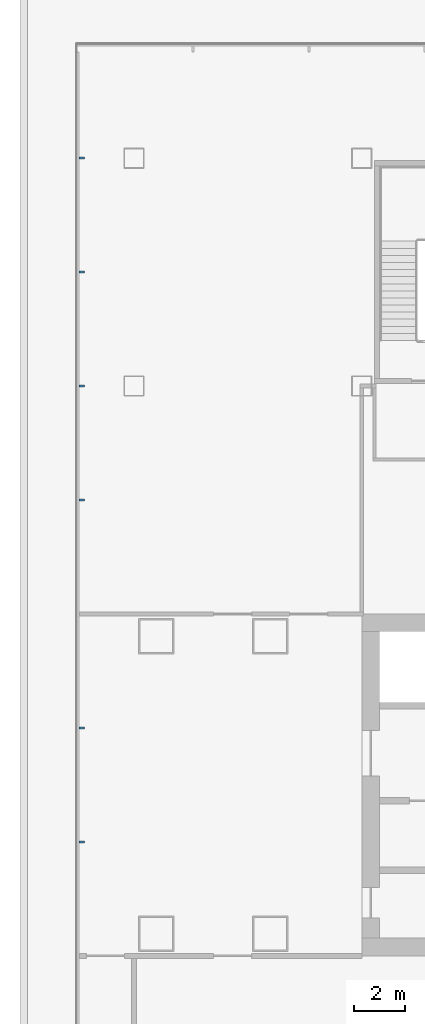
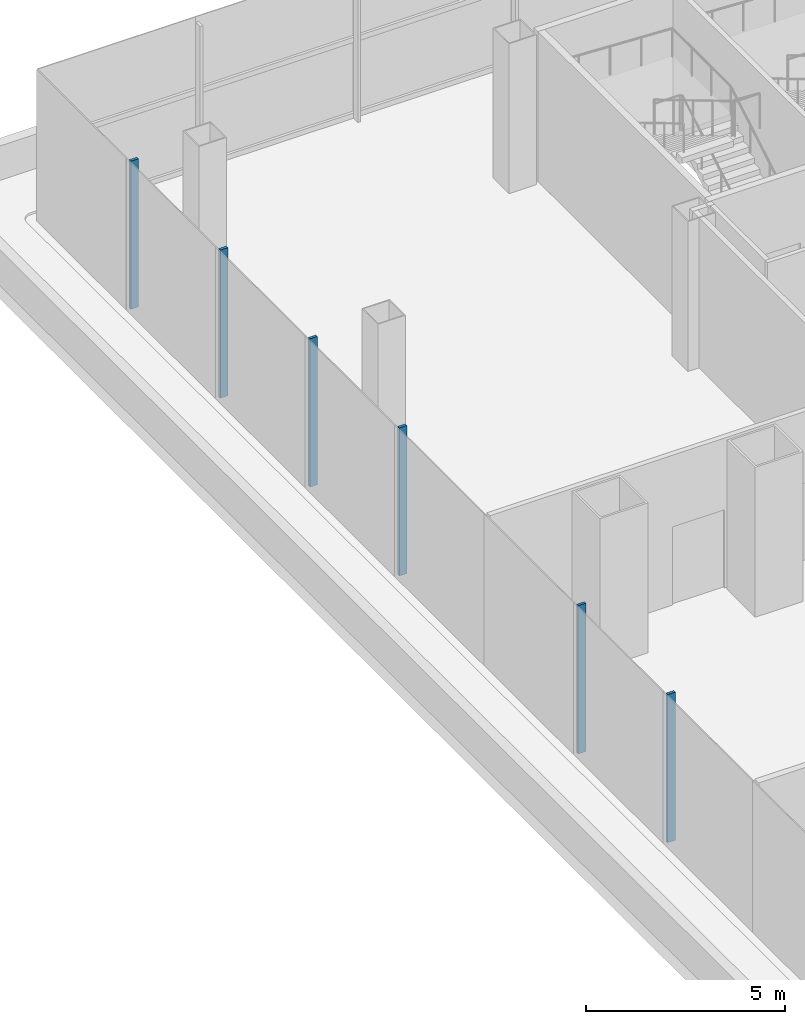
# One storey, part 6 of 33: 6 members, 1 element without a shape of its own.
"""IFC4 building model written with IfcOpenShell, lengths in metres."""

from ifc_helpers import new_model, si_unit, direction, frame, origin, origin_2d, place, context, subcontext, project, spatial, rectangle, extrude, material, layer, layer_set, material_profile, profile_set, type_object, element, aggregate, save


model = new_model("IFC4")

# Units and contexts
model_context = context("Model", 3, precision=1e-05, world=origin(), true_north=direction((0.0, 1.0)))
body_context = subcontext(model_context, "Body", "Model", "MODEL_VIEW")
ifc_project = project(units=[si_unit("LENGTHUNIT", "METRE"), si_unit("AREAUNIT", "SQUARE_METRE"), si_unit("VOLUMEUNIT", "CUBIC_METRE"), si_unit("PLANEANGLEUNIT", "RADIAN"), si_unit("MASSUNIT", "GRAM", prefix="KILO")], contexts=[model_context])

# Site, building, storey
site_placement = place(None, origin())
site = spatial("IfcSite", under=ifc_project, at=site_placement, CompositionType="ELEMENT")
building_placement = place(site_placement, origin())
building = spatial("IfcBuilding", under=site, at=building_placement, Name="Shamsa Quay Exchange Towers", CompositionType="ELEMENT")
storey_placement = place(building_placement, frame((0.0, 0.0, 18.5)))
storey = spatial("IfcBuildingStorey", under=building, at=storey_placement, Name="L03", CompositionType="ELEMENT", Elevation=18.5)

# Curtain wall, members
ifc_material = material(Name="Aluminium EN AW-6063 T6, black anodised", Category="aluminium")
ifc_layer = layer(ifc_material, 0.33203125)
ifc_layer_set = layer_set([ifc_layer], Name="CW-3 PODIUM SHOPFRONT GLAZING")
curtain_wall_type = type_object("IfcCurtainWallType", Name="CW-3 PODIUM SHOPFRONT GLAZING", PredefinedType="NOTDEFINED", material=ifc_layer_set)
curtain_wall_placement = place(storey_placement, origin())
curtain_wall = element("IfcCurtainWall", 1, at=curtain_wall_placement, inside=storey, type_object=curtain_wall_type, Name="CW3 PODIUM-L03-F02", PredefinedType="NOTDEFINED")
ifc_material_profile = material_profile(ifc_material, rectangle(XDim=0.219970703125, YDim=0.080078125, at=origin_2d()), Name="MU80x220")
ifc_profile_set = profile_set([ifc_material_profile], Name="Aluminium EN AW-6063 T6, black anodised")
member_type = type_object("IfcMemberType", Name="CW3 MULLION 80x220", PredefinedType="MULLION", material=ifc_profile_set)
member_1_placement = place(storey_placement, frame((-65.06005859375, 24.75, 0.0)))
member_1 = element("IfcMember", 2, at=member_1_placement, type_object=member_type, Name="CW3 mullion", PredefinedType="MULLION", context=body_context, shape_type="SweptSolid", body=[
    extrude(rectangle(XDim=0.219970703125, YDim=0.080078125, at=origin_2d()), origin(), (0.0, 0.0, 1.0), 4.550048828125),
])
member_2_placement = place(storey_placement, frame((-65.06005859375, 20.25, 0.0)))
member_2 = element("IfcMember", 3, at=member_2_placement, type_object=member_type, Name="CW3 mullion", PredefinedType="MULLION", context=body_context, shape_type="SweptSolid", body=[
    extrude(rectangle(XDim=0.219970703125, YDim=0.080078125, at=origin_2d()), origin(), (0.0, 0.0, 1.0), 4.550048828125),
])
member_3_placement = place(storey_placement, frame((-65.06005859375, 15.75, 0.0)))
member_3 = element("IfcMember", 4, at=member_3_placement, type_object=member_type, Name="CW3 mullion", PredefinedType="MULLION", context=body_context, shape_type="SweptSolid", body=[
    extrude(rectangle(XDim=0.219970703125, YDim=0.080078125, at=origin_2d()), origin(), (0.0, 0.0, 1.0), 4.550048828125),
])
member_4_placement = place(storey_placement, frame((-65.06005859375, 11.25, 0.0)))
member_4 = element("IfcMember", 5, at=member_4_placement, type_object=member_type, Name="CW3 mullion", PredefinedType="MULLION", context=body_context, shape_type="SweptSolid", body=[
    extrude(rectangle(XDim=0.219970703125, YDim=0.080078125, at=origin_2d()), origin(), (0.0, 0.0, 1.0), 4.550048828125),
])
member_5_placement = place(storey_placement, frame((-65.06005859375, 2.25, 0.0)))
member_5 = element("IfcMember", 6, at=member_5_placement, type_object=member_type, Name="CW3 mullion", PredefinedType="MULLION", context=body_context, shape_type="SweptSolid", body=[
    extrude(rectangle(XDim=0.219970703125, YDim=0.080078125, at=origin_2d()), origin(), (0.0, 0.0, 1.0), 4.550048828125),
])
member_6_placement = place(storey_placement, frame((-65.06005859375, -2.25, 0.0)))
member_6 = element("IfcMember", 7, at=member_6_placement, type_object=member_type, Name="CW3 mullion", PredefinedType="MULLION", context=body_context, shape_type="SweptSolid", body=[
    extrude(rectangle(XDim=0.219970703125, YDim=0.080078125, at=origin_2d()), origin(), (0.0, 0.0, 1.0), 4.550048828125),
])
aggregate(curtain_wall, [member_1, member_2, member_3, member_4, member_5, member_6])

save(model, "model.ifc")
